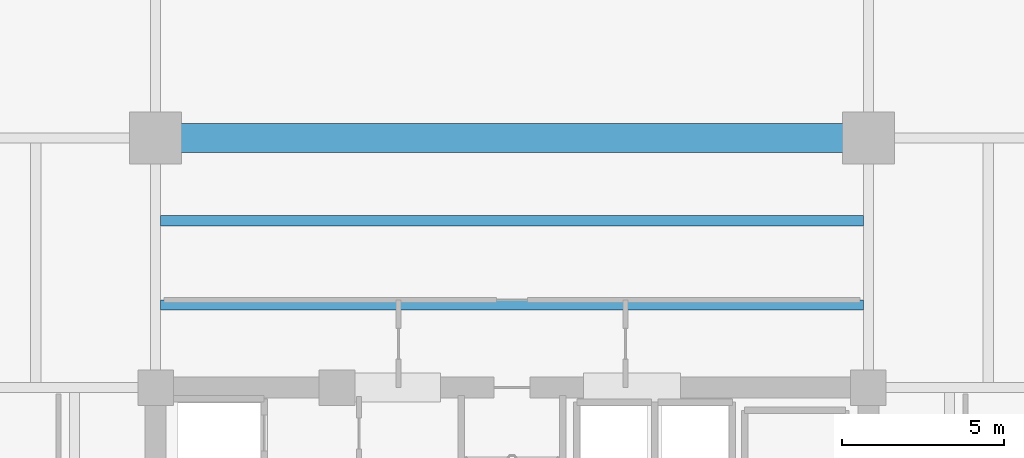
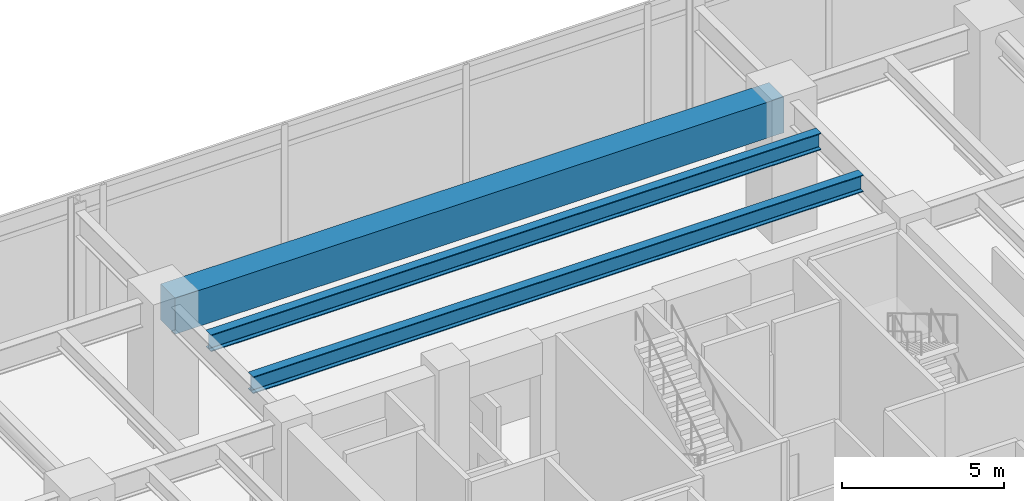
# One storey, part 14 of 23: 3 beams.
"""IFC4 building model written with IfcOpenShell, lengths in metres."""

from ifc_helpers import new_model, si_unit, direction, frame, origin, origin_2d, place, context, subcontext, project, spatial, rectangle, i_section, extrude, material, material_profile, profile_set, type_object, element, save


model = new_model("IFC4")

# Units and contexts
model_context = context("Model", 3, precision=1e-05, world=origin(), true_north=direction((0.0, 1.0)))
body_context = subcontext(model_context, "Body", "Model", "MODEL_VIEW")
ifc_project = project(units=[si_unit("LENGTHUNIT", "METRE"), si_unit("AREAUNIT", "SQUARE_METRE"), si_unit("VOLUMEUNIT", "CUBIC_METRE"), si_unit("PLANEANGLEUNIT", "RADIAN"), si_unit("MASSUNIT", "GRAM", prefix="KILO")], contexts=[model_context])

# Site, building, storey
site_placement = place(None, origin())
site = spatial("IfcSite", under=ifc_project, at=site_placement, CompositionType="ELEMENT")
building_placement = place(site_placement, origin())
building = spatial("IfcBuilding", under=site, at=building_placement, Name="Kovane Verandah Tower", CompositionType="ELEMENT")
storey_placement = place(building_placement, frame((0.0, 0.0, 107.60009765625)))
storey = spatial("IfcBuildingStorey", under=building, at=storey_placement, Name="L25", CompositionType="ELEMENT", Elevation=107.60009765625)

# Beams
ifc_material_1 = material(Name="Concrete C80/95", Category="concrete")
ifc_material_profile_1 = material_profile(ifc_material_1, rectangle(XDim=0.89990234375, YDim=1.35009765625, at=origin_2d()), Name="RCB900x1350")
ifc_profile_set_1 = profile_set([ifc_material_profile_1], Name="Concrete C80/95")
beam_type_1 = type_object("IfcBeamType", Name="BM-TR-900x1350", PredefinedType="BEAM", material=ifc_profile_set_1)
beam_placement = place(storey_placement, frame((29.179931640625, 44.199951171875, 4.4248046875), z_axis=(1.0, 0.0, 0.0), x_axis=(0.0, 1.0, 0.0)))
element("IfcBeam", 1, at=beam_placement, inside=storey, type_object=beam_type_1, Name="L25 Primary Tower Girder G-RN2", PredefinedType="BEAM", context=body_context, shape_type="SweptSolid", body=[
    extrude(rectangle(XDim=0.89990234375, YDim=1.35009765625, at=origin_2d()), origin(), (0.0, 0.0, 1.0), 21.64013671875),
])
ifc_material_2 = material(Name="Steel S460", Category="steel")
ifc_material_profile_2 = material_profile(ifc_material_2, i_section(OverallWidth=0.311279296875, OverallDepth=0.6357421875, WebThickness=0.018310546875, FlangeThickness=0.031494140625, FilletRadius=0.0166015625, at=origin_2d()), Name="UB610x305x238")
ifc_profile_set_2 = profile_set([ifc_material_profile_2], Name="Steel S460")
beam_type_2 = type_object("IfcBeamType", Name="BM-UB610x238", PredefinedType="BEAM", material=ifc_profile_set_2)
for number, where, z_axis, x_axis, name in (
    (2, (29.15185546875, 39.050048828125, 4.781982421875), (1.0, 0.0, 0.0), (0.0, 1.0, 0.0), "L25 Secondary Composite Joist J-N1"),
    (3, (29.15185546875, 41.64990234375, 4.781982421875), (1.0, 0.0, 0.0), (0.0, 1.0, 0.0), "L25 Secondary Composite Joist J-N2"),
):
    element("IfcBeam", number, at=place(storey_placement, frame(where, z_axis=z_axis, x_axis=x_axis)), inside=storey, type_object=beam_type_2, Name=name, PredefinedType="BEAM", context=body_context, shape_type="SweptSolid", body=[
        extrude(i_section(OverallWidth=0.311279296875, OverallDepth=0.6357421875, WebThickness=0.018310546875, FlangeThickness=0.031494140625, FilletRadius=0.0166015625, at=origin_2d()), origin(), (0.0, 0.0, 1.0), 21.6962890625),
    ])

save(model, "model.ifc")
